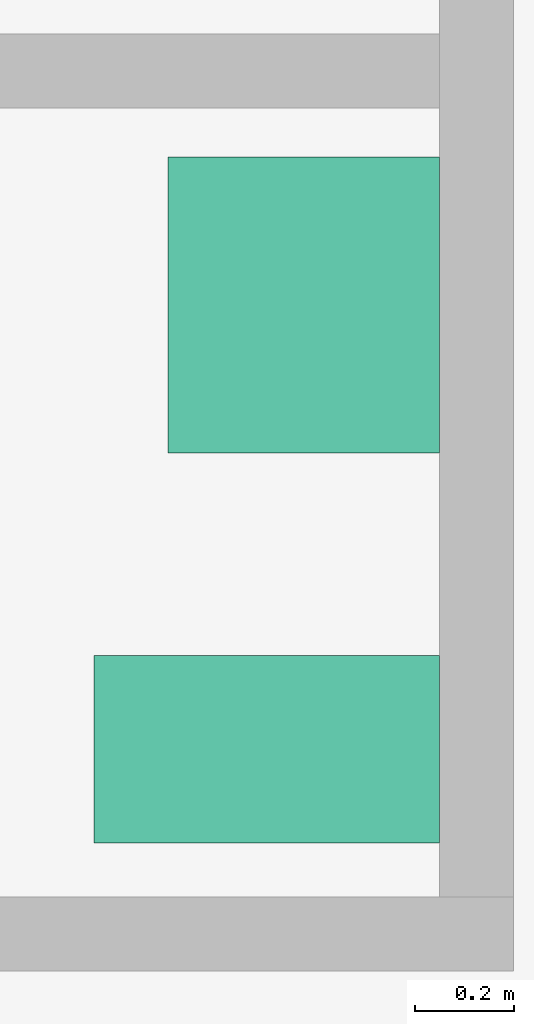
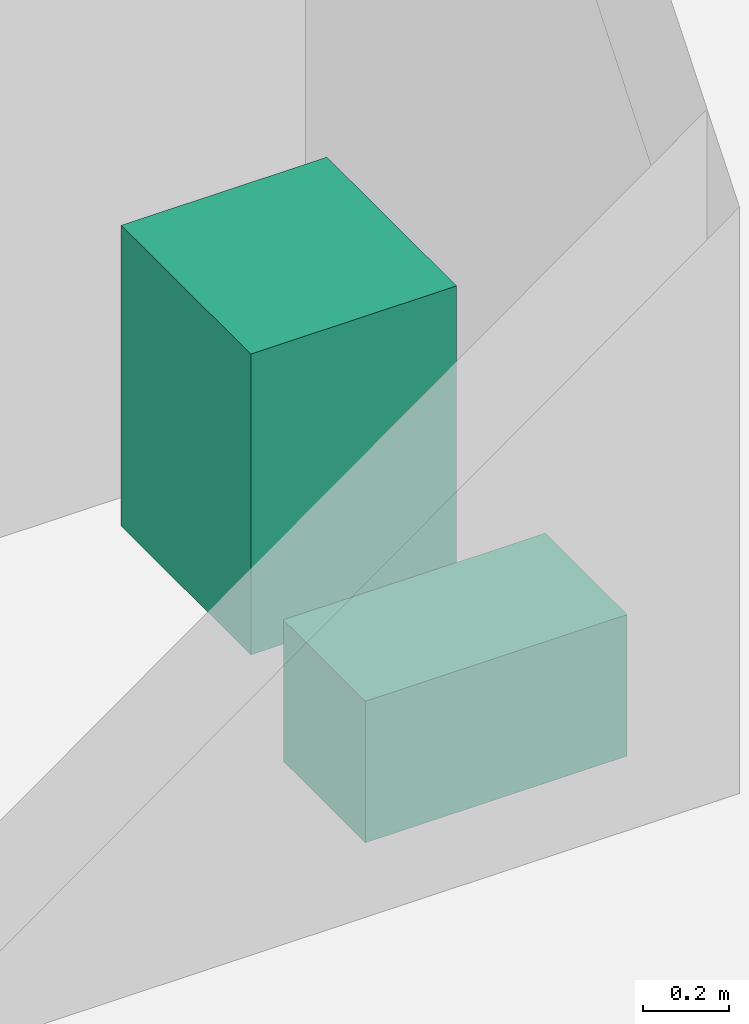
# One storey, part 12 of 12: 2 sanitary terminals.
"""IFC4 building model written with IfcOpenShell, lengths in metres."""

from ifc_helpers import new_model, si_unit, direction, frame, origin, origin_2d, place, context, subcontext, project, spatial, rectangle, extrude, material, element, save


model = new_model("IFC4")

# Units and contexts
model_context = context("Model", 3, precision=1e-05, world=origin(), true_north=direction((0.0, 1.0)))
body_context = subcontext(model_context, "Body", "Model", "MODEL_VIEW")
ifc_project = project(units=[si_unit("LENGTHUNIT", "METRE"), si_unit("AREAUNIT", "SQUARE_METRE"), si_unit("VOLUMEUNIT", "CUBIC_METRE"), si_unit("PLANEANGLEUNIT", "RADIAN"), si_unit("MASSUNIT", "GRAM", prefix="KILO")], contexts=[model_context])

# Site, building, storey
site_placement = place(None, origin())
site = spatial("IfcSite", under=ifc_project, at=site_placement, CompositionType="ELEMENT")
building_placement = place(site_placement, origin())
building = spatial("IfcBuilding", under=site, at=building_placement, Name="Kopane Lantern Tower", CompositionType="ELEMENT")
storey_placement = place(building_placement, frame((0.0, 0.0, 53.39990234375)))
storey = spatial("IfcBuildingStorey", under=building, at=storey_placement, Name="L12", CompositionType="ELEMENT", Elevation=53.39990234375)

# Sanitary terminals
ifc_material = material(Name="Vitreous china")
sanitary_terminal_1_placement = place(storey_placement, frame((34.550048828125, 28.35009765625, 0.000244140625), z_axis=(0.0, 0.0, 1.0), x_axis=(1.0, 0.0, 0.0)))
element("IfcSanitaryTerminal", 1, at=sanitary_terminal_1_placement, inside=storey, material=ifc_material, Name="WC pan L12", PredefinedType="TOILETPAN", context=body_context, shape_type="SweptSolid", body=[
    extrude(rectangle(XDim=0.699951171875, YDim=0.3798828125, at=origin_2d()), origin(), (0.0, 0.0, 1.0), 0.39990234375),
])
sanitary_terminal_2_placement = place(storey_placement, frame((34.625, 29.25, 0.0), z_axis=(0.0, 0.0, 1.0), x_axis=(1.0, 0.0, 0.0)))
element("IfcSanitaryTerminal", 2, at=sanitary_terminal_2_placement, inside=storey, material=ifc_material, Name="Wash basin L12", PredefinedType="WASHHANDBASIN", context=body_context, shape_type="SweptSolid", body=[
    extrude(rectangle(XDim=0.550048828125, YDim=0.60009765625, at=origin_2d()), origin(), (0.0, 0.0, 1.0), 0.85009765625),
])

save(model, "model.ifc")
